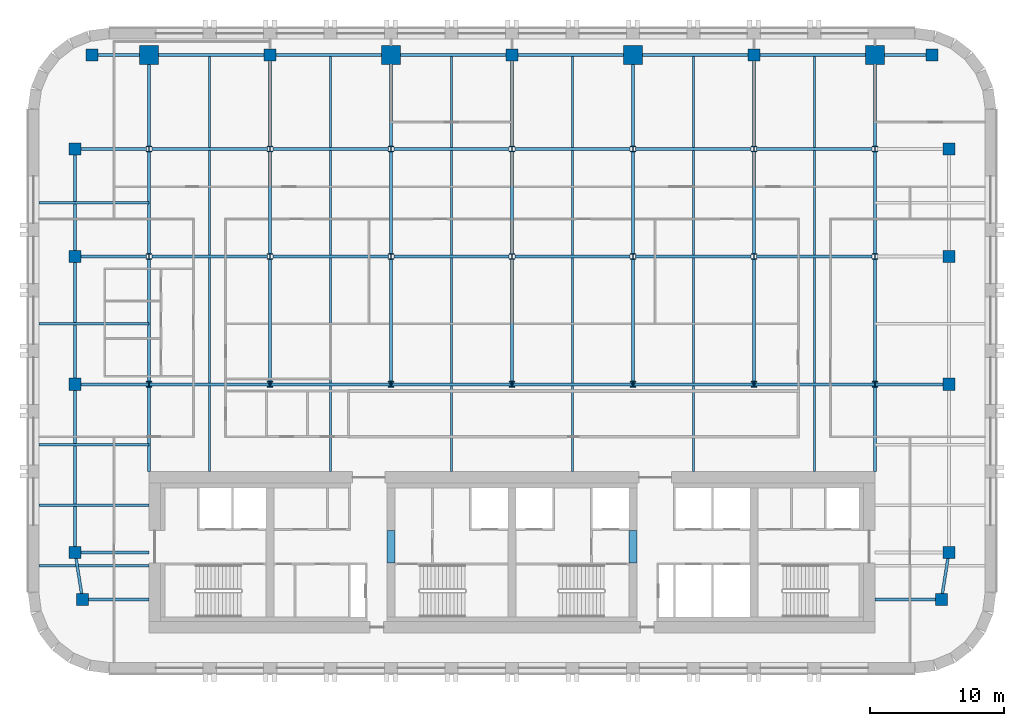
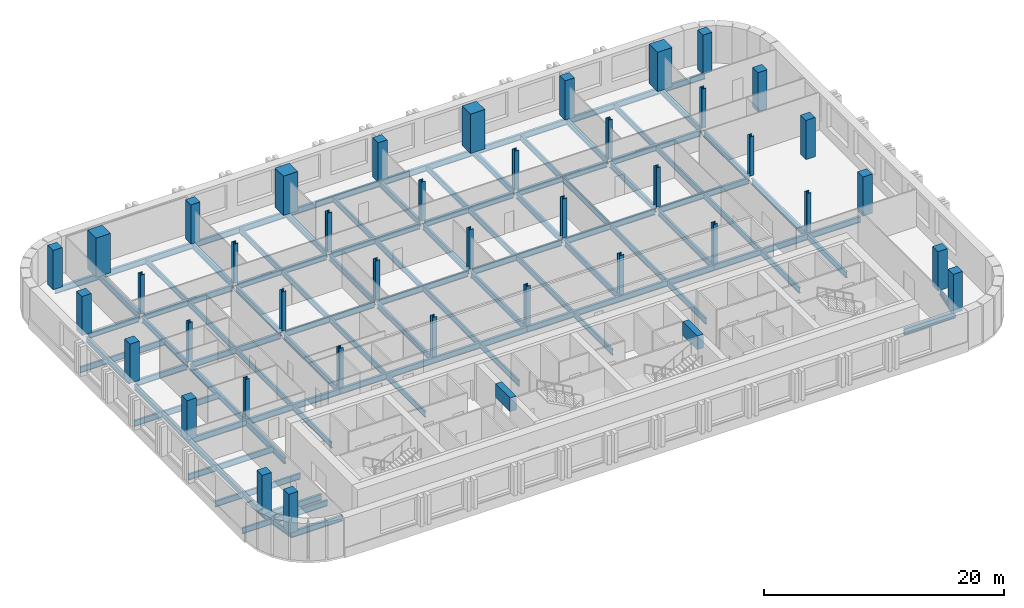
# One storey, part 1 of 9: 64 beams, 40 columns.
"""IFC4 building model written with IfcOpenShell, lengths in metres."""

from ifc_helpers import new_model, si_unit, direction, frame, origin, origin_2d, place, context, subcontext, project, spatial, rectangle, i_section, extrude, material, material_profile, profile_set, type_object, element, save


model = new_model("IFC4")

# Units and contexts
model_context = context("Model", 3, precision=1e-05, world=origin(), true_north=direction((0.0, 1.0)))
body_context = subcontext(model_context, "Body", "Model", "MODEL_VIEW")
ifc_project = project(units=[si_unit("LENGTHUNIT", "METRE"), si_unit("AREAUNIT", "SQUARE_METRE"), si_unit("VOLUMEUNIT", "CUBIC_METRE"), si_unit("PLANEANGLEUNIT", "RADIAN"), si_unit("MASSUNIT", "GRAM", prefix="KILO")], contexts=[model_context])

# Site, building, storey
site_placement = place(None, origin())
site = spatial("IfcSite", under=ifc_project, at=site_placement, CompositionType="ELEMENT")
building_placement = place(site_placement, origin())
building = spatial("IfcBuilding", under=site, at=building_placement, Name="Zellij Exchange Tower", CompositionType="ELEMENT")
storey_placement = place(building_placement, frame((0.0, 0.0, 184.5)))
storey = spatial("IfcBuildingStorey", under=building, at=storey_placement, Name="L42", CompositionType="ELEMENT", Elevation=184.5)

# Columns
ifc_material_1 = material(Name="Concrete C60/75", Category="concrete")
ifc_material_profile_1 = material_profile(ifc_material_1, rectangle(XDim=0.89990234375, YDim=0.89990234375, at=origin_2d()), Name="STR-COLUMN RC900x900 C60/75")
ifc_profile_set_1 = profile_set([ifc_material_profile_1], Name="Concrete C60/75")
column_type_1 = type_object("IfcColumnType", Name="STR-COLUMN RC900x900 C60/75", PredefinedType="COLUMN", material=ifc_profile_set_1)
for number, where, z_axis, x_axis, name in (
    (1, (-31.949951171875, -11.5, 0.0), (0.0, 0.0, 1.0), (1.0, 0.0, 0.0), "C16"),
    (2, (31.949951171875, -11.5, 0.0), (0.0, 0.0, 1.0), (1.0, 0.0, 0.0), "C16"),
    (3, (-32.5, -8.0, 0.0), (0.0, 0.0, 1.0), (1.0, 0.0, 0.0), "C16"),
    (4, (32.5, -8.0, 0.0), (0.0, 0.0, 1.0), (1.0, 0.0, 0.0), "C16"),
    (5, (-32.5, 4.5, 0.0), (0.0, 0.0, 1.0), (1.0, 0.0, 0.0), "C16"),
    (6, (32.5, 4.5, 0.0), (0.0, 0.0, 1.0), (1.0, 0.0, 0.0), "C16"),
    (7, (-32.5, 14.0, 0.0), (0.0, 0.0, 1.0), (1.0, 0.0, 0.0), "C16"),
    (8, (32.5, 14.0, 0.0), (0.0, 0.0, 1.0), (1.0, 0.0, 0.0), "C16"),
    (9, (-32.5, 22.0, 0.0), (0.0, 0.0, 1.0), (1.0, 0.0, 0.0), "C16"),
    (10, (32.5, 22.0, 0.0), (0.0, 0.0, 1.0), (1.0, 0.0, 0.0), "C16"),
    (11, (-31.25, 29.0, 0.0), (0.0, 0.0, 1.0), (1.0, 0.0, 0.0), "C16"),
    (12, (-18.0, 29.0, 0.0), (0.0, 0.0, 1.0), (1.0, 0.0, 0.0), "C16"),
    (13, (0.0, 29.0, 0.0), (0.0, 0.0, 1.0), (1.0, 0.0, 0.0), "C16"),
    (14, (18.0, 29.0, 0.0), (0.0, 0.0, 1.0), (1.0, 0.0, 0.0), "C16"),
    (15, (31.25, 29.0, 0.0), (0.0, 0.0, 1.0), (1.0, 0.0, 0.0), "C16"),
):
    element("IfcColumn", number, at=place(storey_placement, frame(where, z_axis=z_axis, x_axis=x_axis)), inside=storey, type_object=column_type_1, Name=name, PredefinedType="COLUMN", context=body_context, shape_type="SweptSolid", body=[
        extrude(rectangle(XDim=0.89990234375, YDim=0.89990234375, at=origin_2d()), origin(), (0.0, 0.0, 1.0), 4.0),
    ])
ifc_material_2 = material(Name="Structural steel ASTM A913 Gr 65", Category="steel")
ifc_material_profile_2 = material_profile(ifc_material_2, i_section(OverallWidth=0.408935546875, OverallDepth=0.424072265625, WebThickness=0.03271484375, FlangeThickness=0.052490234375, at=origin_2d()), Name="W14x283")
ifc_profile_set_2 = profile_set([ifc_material_profile_2], Name="Structural steel ASTM A913 Gr 65")
column_type_2 = type_object("IfcColumnType", Name="STR-COLUMN W14x283", PredefinedType="COLUMN", material=ifc_profile_set_2)
for number, where, z_axis, x_axis, name in (
    (16, (-27.0, 4.5, 0.0), (0.0, 0.0, 1.0), (1.0, 0.0, 0.0), "C3"),
    (17, (-18.0, 4.5, 0.0), (0.0, 0.0, 1.0), (1.0, 0.0, 0.0), "C3"),
    (18, (-9.0, 4.5, 0.0), (0.0, 0.0, 1.0), (1.0, 0.0, 0.0), "C3"),
    (19, (0.0, 4.5, 0.0), (0.0, 0.0, 1.0), (1.0, 0.0, 0.0), "C3"),
    (20, (9.0, 4.5, 0.0), (0.0, 0.0, 1.0), (1.0, 0.0, 0.0), "C3"),
    (21, (18.0, 4.5, 0.0), (0.0, 0.0, 1.0), (1.0, 0.0, 0.0), "C3"),
    (22, (27.0, 4.5, 0.0), (0.0, 0.0, 1.0), (1.0, 0.0, 0.0), "C3"),
    (23, (-27.0, 14.0, 0.0), (0.0, 0.0, 1.0), (1.0, 0.0, 0.0), "C3"),
    (24, (-18.0, 14.0, 0.0), (0.0, 0.0, 1.0), (1.0, 0.0, 0.0), "C3"),
    (25, (-9.0, 14.0, 0.0), (0.0, 0.0, 1.0), (1.0, 0.0, 0.0), "C3"),
    (26, (0.0, 14.0, 0.0), (0.0, 0.0, 1.0), (1.0, 0.0, 0.0), "C3"),
    (27, (9.0, 14.0, 0.0), (0.0, 0.0, 1.0), (1.0, 0.0, 0.0), "C3"),
    (28, (18.0, 14.0, 0.0), (0.0, 0.0, 1.0), (1.0, 0.0, 0.0), "C3"),
    (29, (27.0, 14.0, 0.0), (0.0, 0.0, 1.0), (1.0, 0.0, 0.0), "C3"),
    (30, (-27.0, 22.0, 0.0), (0.0, 0.0, 1.0), (1.0, 0.0, 0.0), "C3"),
    (31, (-18.0, 22.0, 0.0), (0.0, 0.0, 1.0), (1.0, 0.0, 0.0), "C3"),
    (32, (-9.0, 22.0, 0.0), (0.0, 0.0, 1.0), (1.0, 0.0, 0.0), "C3"),
    (33, (0.0, 22.0, 0.0), (0.0, 0.0, 1.0), (1.0, 0.0, 0.0), "C3"),
    (34, (9.0, 22.0, 0.0), (0.0, 0.0, 1.0), (1.0, 0.0, 0.0), "C3"),
    (35, (18.0, 22.0, 0.0), (0.0, 0.0, 1.0), (1.0, 0.0, 0.0), "C3"),
    (36, (27.0, 22.0, 0.0), (0.0, 0.0, 1.0), (1.0, 0.0, 0.0), "C3"),
):
    element("IfcColumn", number, at=place(storey_placement, frame(where, z_axis=z_axis, x_axis=x_axis)), inside=storey, type_object=column_type_2, Name=name, PredefinedType="COLUMN", context=body_context, shape_type="SweptSolid", body=[
        extrude(i_section(OverallWidth=0.408935546875, OverallDepth=0.424072265625, WebThickness=0.03271484375, FlangeThickness=0.052490234375, at=origin_2d()), origin(), (0.0, 0.0, 1.0), 4.0),
    ])
ifc_material_profile_3 = material_profile(ifc_material_1, rectangle(XDim=1.39990234375, YDim=1.39990234375, at=origin_2d()), Name="STR-MEGA COLUMN RC1400x1400 C60/75")
ifc_profile_set_3 = profile_set([ifc_material_profile_3], Name="Concrete C60/75")
column_type_3 = type_object("IfcColumnType", Name="STR-MEGA COLUMN RC1400x1400 C60/75", PredefinedType="COLUMN", material=ifc_profile_set_3)
for number, where, z_axis, x_axis, name in (
    (37, (-27.0, 29.0, 0.0), (0.0, 0.0, 1.0), (1.0, 0.0, 0.0), "MC3"),
    (38, (-9.0, 29.0, 0.0), (0.0, 0.0, 1.0), (1.0, 0.0, 0.0), "MC3"),
    (39, (9.0, 29.0, 0.0), (0.0, 0.0, 1.0), (1.0, 0.0, 0.0), "MC3"),
    (40, (27.0, 29.0, 0.0), (0.0, 0.0, 1.0), (1.0, 0.0, 0.0), "MC3"),
):
    element("IfcColumn", number, at=place(storey_placement, frame(where, z_axis=z_axis, x_axis=x_axis)), inside=storey, type_object=column_type_3, Name=name, PredefinedType="COLUMN", context=body_context, shape_type="SweptSolid", body=[
        extrude(rectangle(XDim=1.39990234375, YDim=1.39990234375, at=origin_2d()), origin(), (0.0, 0.0, 1.0), 4.0),
    ])

# Beams
ifc_material_profile_4 = material_profile(ifc_material_1, rectangle(XDim=0.60009765625, YDim=1.39990234375, at=origin_2d()), Name="CORE-CB 600x1400 C60/75")
ifc_profile_set_4 = profile_set([ifc_material_profile_4], Name="Concrete C60/75")
beam_type_1 = type_object("IfcBeamType", Name="CORE-CB 600x1400 C60/75", PredefinedType="BEAM", material=ifc_profile_set_4)
for number, where, z_axis, x_axis, name in (
    (41, (-9.0, -8.800048828125, 3.10009765625), (0.0, 1.0, 0.0), (-1.0, 0.0, 0.0), "Core coupling beam x -9 L42"),
    (42, (9.0, -8.800048828125, 3.10009765625), (0.0, 1.0, 0.0), (-1.0, 0.0, 0.0), "Core coupling beam x 9 L42"),
):
    element("IfcBeam", number, at=place(storey_placement, frame(where, z_axis=z_axis, x_axis=x_axis)), inside=storey, type_object=beam_type_1, Name=name, PredefinedType="BEAM", context=body_context, shape_type="SweptSolid", body=[
        extrude(rectangle(XDim=0.60009765625, YDim=1.39990234375, at=origin_2d()), origin(), (0.0, 0.0, 1.0), 2.425048828125),
    ])
ifc_material_3 = material(Name="Structural steel ASTM A992 Gr 50", Category="steel")
ifc_material_profile_5 = material_profile(ifc_material_3, i_section(OverallWidth=0.177978515625, OverallDepth=0.599365234375, WebThickness=0.010009765625, FlangeThickness=0.012939453125, at=origin_2d()), Name="W24x55")
ifc_profile_set_5 = profile_set([ifc_material_profile_5], Name="Structural steel ASTM A992 Gr 50")
beam_type_2 = type_object("IfcBeamType", Name="STR-BEAM W24x55", PredefinedType="BEAM", material=ifc_profile_set_5)
for number, where, z_axis, x_axis, name in (
    (43, (-22.5, -2.0, -0.499755859375), (0.0, 1.0, 0.0), (-1.0, 0.0, 0.0), "B4"),
    (44, (-13.5, -2.0, -0.499755859375), (0.0, 1.0, 0.0), (-1.0, 0.0, 0.0), "B4"),
    (45, (-4.5, -2.0, -0.499755859375), (0.0, 1.0, 0.0), (-1.0, 0.0, 0.0), "B4"),
    (46, (4.5, -2.0, -0.499755859375), (0.0, 1.0, 0.0), (-1.0, 0.0, 0.0), "B4"),
    (47, (13.5, -2.0, -0.499755859375), (0.0, 1.0, 0.0), (-1.0, 0.0, 0.0), "B4"),
    (48, (22.5, -2.0, -0.499755859375), (0.0, 1.0, 0.0), (-1.0, 0.0, 0.0), "B4"),
):
    element("IfcBeam", number, at=place(storey_placement, frame(where, z_axis=z_axis, x_axis=x_axis)), inside=storey, type_object=beam_type_2, Name=name, PredefinedType="BEAM", context=body_context, shape_type="SweptSolid", body=[
        extrude(i_section(OverallWidth=0.177978515625, OverallDepth=0.599365234375, WebThickness=0.010009765625, FlangeThickness=0.012939453125, at=origin_2d()), origin(), (0.0, 0.0, 1.0), 31.1142578125),
    ])
for number, where, z_axis, x_axis, name in (
    (49, (-35.199951171875, -9.0, -0.499755859375), (1.0, 0.0, 0.0), (0.0, 1.0, 0.0), "B4"),
    (50, (-35.199951171875, -4.5, -0.499755859375), (1.0, 0.0, 0.0), (0.0, 1.0, 0.0), "B4"),
    (51, (-35.199951171875, 0.0, -0.499755859375), (1.0, 0.0, 0.0), (0.0, 1.0, 0.0), "B4"),
    (52, (-35.199951171875, 9.0, -0.499755859375), (1.0, 0.0, 0.0), (0.0, 1.0, 0.0), "B4"),
    (53, (-35.199951171875, 18.0, -0.499755859375), (1.0, 0.0, 0.0), (0.0, 1.0, 0.0), "B4"),
):
    element("IfcBeam", number, at=place(storey_placement, frame(where, z_axis=z_axis, x_axis=x_axis)), inside=storey, type_object=beam_type_2, Name=name, PredefinedType="BEAM", context=body_context, shape_type="SweptSolid", body=[
        extrude(i_section(OverallWidth=0.177978515625, OverallDepth=0.599365234375, WebThickness=0.010009765625, FlangeThickness=0.012939453125, at=origin_2d()), origin(), (0.0, 0.0, 1.0), 8.199951171875),
    ])
ifc_material_profile_6 = material_profile(ifc_material_3, i_section(OverallWidth=0.209228515625, OverallDepth=0.533447265625, WebThickness=0.01025390625, FlangeThickness=0.015625, at=origin_2d()), Name="W21x62")
ifc_profile_set_6 = profile_set([ifc_material_profile_6], Name="Structural steel ASTM A992 Gr 50")
beam_type_3 = type_object("IfcBeamType", Name="STR-EDGE GIRDER W21x62", PredefinedType="BEAM", material=ifc_profile_set_6)
beam_1_placement = place(storey_placement, frame((-31.949951171875, -11.5, -0.466796875), z_axis=(-0.155251283593, 0.987875011802, 0.0), x_axis=(-0.987875011802, -0.155251283593, 0.0)))
element("IfcBeam", 54, at=beam_1_placement, inside=storey, type_object=beam_type_3, Name="EB3", PredefinedType="BEAM", context=body_context, shape_type="SweptSolid", body=[
    extrude(i_section(OverallWidth=0.209228515625, OverallDepth=0.533447265625, WebThickness=0.01025390625, FlangeThickness=0.015625, at=origin_2d()), origin(), (0.0, 0.0, 1.0), 3.54296875),
])
beam_2_placement = place(storey_placement, frame((-32.5, -8.0, -0.466796875), z_axis=(0.0, 1.0, 0.0), x_axis=(-1.0, 0.0, 0.0)))
element("IfcBeam", 55, at=beam_2_placement, inside=storey, type_object=beam_type_3, Name="EB3", PredefinedType="BEAM", context=body_context, shape_type="SweptSolid", body=[
    extrude(i_section(OverallWidth=0.209228515625, OverallDepth=0.533447265625, WebThickness=0.01025390625, FlangeThickness=0.015625, at=origin_2d()), origin(), (0.0, 0.0, 1.0), 12.5),
])
beam_3_placement = place(storey_placement, frame((-32.5, 4.5, -0.466796875), z_axis=(0.0, 1.0, 0.0), x_axis=(-1.0, 0.0, 0.0)))
element("IfcBeam", 56, at=beam_3_placement, inside=storey, type_object=beam_type_3, Name="EB3", PredefinedType="BEAM", context=body_context, shape_type="SweptSolid", body=[
    extrude(i_section(OverallWidth=0.209228515625, OverallDepth=0.533447265625, WebThickness=0.01025390625, FlangeThickness=0.015625, at=origin_2d()), origin(), (0.0, 0.0, 1.0), 9.050048828125),
])
beam_4_placement = place(storey_placement, frame((-32.5, 14.449951171875, -0.466796875), z_axis=(0.0, 1.0, 0.0), x_axis=(-1.0, 0.0, 0.0)))
element("IfcBeam", 57, at=beam_4_placement, inside=storey, type_object=beam_type_3, Name="EB3", PredefinedType="BEAM", context=body_context, shape_type="SweptSolid", body=[
    extrude(i_section(OverallWidth=0.209228515625, OverallDepth=0.533447265625, WebThickness=0.01025390625, FlangeThickness=0.015625, at=origin_2d()), origin(), (0.0, 0.0, 1.0), 7.10009765625),
])
beam_5_placement = place(storey_placement, frame((31.949951171875, -11.5, -0.466796875), z_axis=(0.155251283593, 0.987875011802, 0.0), x_axis=(-0.987875011802, 0.155251283593, 0.0)))
element("IfcBeam", 58, at=beam_5_placement, inside=storey, type_object=beam_type_3, Name="EB3", PredefinedType="BEAM", context=body_context, shape_type="SweptSolid", body=[
    extrude(i_section(OverallWidth=0.209228515625, OverallDepth=0.533447265625, WebThickness=0.01025390625, FlangeThickness=0.015625, at=origin_2d()), origin(), (0.0, 0.0, 1.0), 3.54296875),
])
ifc_material_profile_7 = material_profile(ifc_material_3, i_section(OverallWidth=0.228271484375, OverallDepth=0.607177734375, WebThickness=0.01123046875, FlangeThickness=0.017333984375, at=origin_2d()), Name="W24x76")
ifc_profile_set_7 = profile_set([ifc_material_profile_7], Name="Structural steel ASTM A992 Gr 50")
beam_type_4 = type_object("IfcBeamType", Name="STR-GIRDER W24x76", PredefinedType="BEAM", material=ifc_profile_set_7)
for number, where, z_axis, x_axis, name in (
    (59, (-31.949951171875, -11.5, -0.50341796875), (1.0, 0.0, 0.0), (0.0, 1.0, 0.0), "G2"),
    (60, (27.0, -11.5, -0.50341796875), (1.0, 0.0, 0.0), (0.0, 1.0, 0.0), "G2"),
):
    element("IfcBeam", number, at=place(storey_placement, frame(where, z_axis=z_axis, x_axis=x_axis)), inside=storey, type_object=beam_type_4, Name=name, PredefinedType="BEAM", context=body_context, shape_type="SweptSolid", body=[
        extrude(i_section(OverallWidth=0.228271484375, OverallDepth=0.607177734375, WebThickness=0.01123046875, FlangeThickness=0.017333984375, at=origin_2d()), origin(), (0.0, 0.0, 1.0), 4.949951171875),
    ])
beam_6_placement = place(storey_placement, frame((-32.5, -8.0, -0.50341796875), z_axis=(1.0, 0.0, 0.0), x_axis=(0.0, 1.0, 0.0)))
element("IfcBeam", 61, at=beam_6_placement, inside=storey, type_object=beam_type_4, Name="G2", PredefinedType="BEAM", context=body_context, shape_type="SweptSolid", body=[
    extrude(i_section(OverallWidth=0.228271484375, OverallDepth=0.607177734375, WebThickness=0.01123046875, FlangeThickness=0.017333984375, at=origin_2d()), origin(), (0.0, 0.0, 1.0), 5.5),
])
beam_7_placement = place(storey_placement, frame((-32.5, 4.5, -0.50341796875), z_axis=(1.0, 0.0, 0.0), x_axis=(0.0, 1.0, 0.0)))
element("IfcBeam", 62, at=beam_7_placement, inside=storey, type_object=beam_type_4, Name="G2", PredefinedType="BEAM", context=body_context, shape_type="SweptSolid", body=[
    extrude(i_section(OverallWidth=0.228271484375, OverallDepth=0.607177734375, WebThickness=0.01123046875, FlangeThickness=0.017333984375, at=origin_2d()), origin(), (0.0, 0.0, 1.0), 14.5),
])
for number, where, z_axis, x_axis, name in (
    (63, (-18.0, 4.5, -0.50341796875), (1.0, 0.0, 0.0), (0.0, 1.0, 0.0), "G2"),
    (64, (0.0, 4.5, -0.50341796875), (1.0, 0.0, 0.0), (0.0, 1.0, 0.0), "G2"),
):
    element("IfcBeam", number, at=place(storey_placement, frame(where, z_axis=z_axis, x_axis=x_axis)), inside=storey, type_object=beam_type_4, Name=name, PredefinedType="BEAM", context=body_context, shape_type="SweptSolid", body=[
        extrude(i_section(OverallWidth=0.228271484375, OverallDepth=0.607177734375, WebThickness=0.01123046875, FlangeThickness=0.017333984375, at=origin_2d()), origin(), (0.0, 0.0, 1.0), 18.0),
    ])
beam_8_placement = place(storey_placement, frame((18.0, 4.5, -0.50341796875), z_axis=(1.0, 0.0, 0.0), x_axis=(0.0, 1.0, 0.0)))
element("IfcBeam", 65, at=beam_8_placement, inside=storey, type_object=beam_type_4, Name="G2", PredefinedType="BEAM", context=body_context, shape_type="SweptSolid", body=[
    extrude(i_section(OverallWidth=0.228271484375, OverallDepth=0.607177734375, WebThickness=0.01123046875, FlangeThickness=0.017333984375, at=origin_2d()), origin(), (0.0, 0.0, 1.0), 14.050048828125),
])
beam_9_placement = place(storey_placement, frame((-32.050048828125, 14.0, -0.50341796875), z_axis=(1.0, 0.0, 0.0), x_axis=(0.0, 1.0, 0.0)))
element("IfcBeam", 66, at=beam_9_placement, inside=storey, type_object=beam_type_4, Name="G2", PredefinedType="BEAM", context=body_context, shape_type="SweptSolid", body=[
    extrude(i_section(OverallWidth=0.228271484375, OverallDepth=0.607177734375, WebThickness=0.01123046875, FlangeThickness=0.017333984375, at=origin_2d()), origin(), (0.0, 0.0, 1.0), 4.845458984375),
])
for number, where, z_axis, x_axis, name in (
    (67, (-26.79541015625, 14.0, -0.50341796875), (1.0, 0.0, 0.0), (0.0, 1.0, 0.0), "G2"),
    (68, (-17.79541015625, 14.0, -0.50341796875), (1.0, 0.0, 0.0), (0.0, 1.0, 0.0), "G2"),
    (69, (-8.79541015625, 14.0, -0.50341796875), (1.0, 0.0, 0.0), (0.0, 1.0, 0.0), "G2"),
    (70, (0.20458984375, 14.0, -0.50341796875), (1.0, 0.0, 0.0), (0.0, 1.0, 0.0), "G2"),
    (71, (9.20458984375, 14.0, -0.50341796875), (1.0, 0.0, 0.0), (0.0, 1.0, 0.0), "G2"),
    (72, (18.20458984375, 14.0, -0.50341796875), (1.0, 0.0, 0.0), (0.0, 1.0, 0.0), "G2"),
):
    element("IfcBeam", number, at=place(storey_placement, frame(where, z_axis=z_axis, x_axis=x_axis)), inside=storey, type_object=beam_type_4, Name=name, PredefinedType="BEAM", context=body_context, shape_type="SweptSolid", body=[
        extrude(i_section(OverallWidth=0.228271484375, OverallDepth=0.607177734375, WebThickness=0.01123046875, FlangeThickness=0.017333984375, at=origin_2d()), origin(), (0.0, 0.0, 1.0), 8.5908203125),
    ])
beam_10_placement = place(storey_placement, frame((-32.050048828125, 22.0, -0.50341796875), z_axis=(1.0, 0.0, 0.0), x_axis=(0.0, 1.0, 0.0)))
element("IfcBeam", 73, at=beam_10_placement, inside=storey, type_object=beam_type_4, Name="G2", PredefinedType="BEAM", context=body_context, shape_type="SweptSolid", body=[
    extrude(i_section(OverallWidth=0.228271484375, OverallDepth=0.607177734375, WebThickness=0.01123046875, FlangeThickness=0.017333984375, at=origin_2d()), origin(), (0.0, 0.0, 1.0), 4.845458984375),
])
for number, where, z_axis, x_axis, name in (
    (74, (-26.79541015625, 22.0, -0.50341796875), (1.0, 0.0, 0.0), (0.0, 1.0, 0.0), "G2"),
    (75, (-17.79541015625, 22.0, -0.50341796875), (1.0, 0.0, 0.0), (0.0, 1.0, 0.0), "G2"),
    (76, (-8.79541015625, 22.0, -0.50341796875), (1.0, 0.0, 0.0), (0.0, 1.0, 0.0), "G2"),
    (77, (0.20458984375, 22.0, -0.50341796875), (1.0, 0.0, 0.0), (0.0, 1.0, 0.0), "G2"),
    (78, (9.20458984375, 22.0, -0.50341796875), (1.0, 0.0, 0.0), (0.0, 1.0, 0.0), "G2"),
    (79, (18.20458984375, 22.0, -0.50341796875), (1.0, 0.0, 0.0), (0.0, 1.0, 0.0), "G2"),
):
    element("IfcBeam", number, at=place(storey_placement, frame(where, z_axis=z_axis, x_axis=x_axis)), inside=storey, type_object=beam_type_4, Name=name, PredefinedType="BEAM", context=body_context, shape_type="SweptSolid", body=[
        extrude(i_section(OverallWidth=0.228271484375, OverallDepth=0.607177734375, WebThickness=0.01123046875, FlangeThickness=0.017333984375, at=origin_2d()), origin(), (0.0, 0.0, 1.0), 8.5908203125),
    ])
beam_11_placement = place(storey_placement, frame((-31.25, 29.0, -0.50341796875), z_axis=(1.0, 0.0, 0.0), x_axis=(0.0, 1.0, 0.0)))
element("IfcBeam", 80, at=beam_11_placement, inside=storey, type_object=beam_type_4, Name="G2", PredefinedType="BEAM", context=body_context, shape_type="SweptSolid", body=[
    extrude(i_section(OverallWidth=0.228271484375, OverallDepth=0.607177734375, WebThickness=0.01123046875, FlangeThickness=0.017333984375, at=origin_2d()), origin(), (0.0, 0.0, 1.0), 13.25),
])
for number, where, z_axis, x_axis, name in (
    (81, (-18.0, 29.0, -0.50341796875), (1.0, 0.0, 0.0), (0.0, 1.0, 0.0), "G2"),
    (82, (0.0, 29.0, -0.50341796875), (1.0, 0.0, 0.0), (0.0, 1.0, 0.0), "G2"),
):
    element("IfcBeam", number, at=place(storey_placement, frame(where, z_axis=z_axis, x_axis=x_axis)), inside=storey, type_object=beam_type_4, Name=name, PredefinedType="BEAM", context=body_context, shape_type="SweptSolid", body=[
        extrude(i_section(OverallWidth=0.228271484375, OverallDepth=0.607177734375, WebThickness=0.01123046875, FlangeThickness=0.017333984375, at=origin_2d()), origin(), (0.0, 0.0, 1.0), 18.0),
    ])
beam_12_placement = place(storey_placement, frame((18.0, 29.0, -0.50341796875), z_axis=(1.0, 0.0, 0.0), x_axis=(0.0, 1.0, 0.0)))
element("IfcBeam", 83, at=beam_12_placement, inside=storey, type_object=beam_type_4, Name="G2", PredefinedType="BEAM", context=body_context, shape_type="SweptSolid", body=[
    extrude(i_section(OverallWidth=0.228271484375, OverallDepth=0.607177734375, WebThickness=0.01123046875, FlangeThickness=0.017333984375, at=origin_2d()), origin(), (0.0, 0.0, 1.0), 13.25),
])
beam_13_placement = place(storey_placement, frame((-27.0, -2.0, -0.50341796875), z_axis=(0.0, 1.0, 0.0), x_axis=(-1.0, 0.0, 0.0)))
element("IfcBeam", 84, at=beam_13_placement, inside=storey, type_object=beam_type_4, Name="G2", PredefinedType="BEAM", context=body_context, shape_type="SweptSolid", body=[
    extrude(i_section(OverallWidth=0.228271484375, OverallDepth=0.607177734375, WebThickness=0.01123046875, FlangeThickness=0.017333984375, at=origin_2d()), origin(), (0.0, 0.0, 1.0), 15.787841796875),
])
beam_14_placement = place(storey_placement, frame((-27.0, 14.212158203125, -0.50341796875), z_axis=(0.0, 1.0, 0.0), x_axis=(-1.0, 0.0, 0.0)))
element("IfcBeam", 85, at=beam_14_placement, inside=storey, type_object=beam_type_4, Name="G2", PredefinedType="BEAM", context=body_context, shape_type="SweptSolid", body=[
    extrude(i_section(OverallWidth=0.228271484375, OverallDepth=0.607177734375, WebThickness=0.01123046875, FlangeThickness=0.017333984375, at=origin_2d()), origin(), (0.0, 0.0, 1.0), 7.57568359375),
])
beam_15_placement = place(storey_placement, frame((-27.0, 22.212158203125, -0.50341796875), z_axis=(0.0, 1.0, 0.0), x_axis=(-1.0, 0.0, 0.0)))
element("IfcBeam", 86, at=beam_15_placement, inside=storey, type_object=beam_type_4, Name="G2", PredefinedType="BEAM", context=body_context, shape_type="SweptSolid", body=[
    extrude(i_section(OverallWidth=0.228271484375, OverallDepth=0.607177734375, WebThickness=0.01123046875, FlangeThickness=0.017333984375, at=origin_2d()), origin(), (0.0, 0.0, 1.0), 6.787841796875),
])
beam_16_placement = place(storey_placement, frame((-18.0, 4.5, -0.50341796875), z_axis=(0.0, 1.0, 0.0), x_axis=(-1.0, 0.0, 0.0)))
element("IfcBeam", 87, at=beam_16_placement, inside=storey, type_object=beam_type_4, Name="G2", PredefinedType="BEAM", context=body_context, shape_type="SweptSolid", body=[
    extrude(i_section(OverallWidth=0.228271484375, OverallDepth=0.607177734375, WebThickness=0.01123046875, FlangeThickness=0.017333984375, at=origin_2d()), origin(), (0.0, 0.0, 1.0), 9.287841796875),
])
beam_17_placement = place(storey_placement, frame((-18.0, 14.212158203125, -0.50341796875), z_axis=(0.0, 1.0, 0.0), x_axis=(-1.0, 0.0, 0.0)))
element("IfcBeam", 88, at=beam_17_placement, inside=storey, type_object=beam_type_4, Name="G2", PredefinedType="BEAM", context=body_context, shape_type="SweptSolid", body=[
    extrude(i_section(OverallWidth=0.228271484375, OverallDepth=0.607177734375, WebThickness=0.01123046875, FlangeThickness=0.017333984375, at=origin_2d()), origin(), (0.0, 0.0, 1.0), 7.57568359375),
])
beam_18_placement = place(storey_placement, frame((-18.0, 22.212158203125, -0.50341796875), z_axis=(0.0, 1.0, 0.0), x_axis=(-1.0, 0.0, 0.0)))
element("IfcBeam", 89, at=beam_18_placement, inside=storey, type_object=beam_type_4, Name="G2", PredefinedType="BEAM", context=body_context, shape_type="SweptSolid", body=[
    extrude(i_section(OverallWidth=0.228271484375, OverallDepth=0.607177734375, WebThickness=0.01123046875, FlangeThickness=0.017333984375, at=origin_2d()), origin(), (0.0, 0.0, 1.0), 6.787841796875),
])
beam_19_placement = place(storey_placement, frame((-9.0, 4.5, -0.50341796875), z_axis=(0.0, 1.0, 0.0), x_axis=(-1.0, 0.0, 0.0)))
element("IfcBeam", 90, at=beam_19_placement, inside=storey, type_object=beam_type_4, Name="G2", PredefinedType="BEAM", context=body_context, shape_type="SweptSolid", body=[
    extrude(i_section(OverallWidth=0.228271484375, OverallDepth=0.607177734375, WebThickness=0.01123046875, FlangeThickness=0.017333984375, at=origin_2d()), origin(), (0.0, 0.0, 1.0), 9.287841796875),
])
beam_20_placement = place(storey_placement, frame((-9.0, 14.212158203125, -0.50341796875), z_axis=(0.0, 1.0, 0.0), x_axis=(-1.0, 0.0, 0.0)))
element("IfcBeam", 91, at=beam_20_placement, inside=storey, type_object=beam_type_4, Name="G2", PredefinedType="BEAM", context=body_context, shape_type="SweptSolid", body=[
    extrude(i_section(OverallWidth=0.228271484375, OverallDepth=0.607177734375, WebThickness=0.01123046875, FlangeThickness=0.017333984375, at=origin_2d()), origin(), (0.0, 0.0, 1.0), 7.57568359375),
])
beam_21_placement = place(storey_placement, frame((-9.0, 22.212158203125, -0.50341796875), z_axis=(0.0, 1.0, 0.0), x_axis=(-1.0, 0.0, 0.0)))
element("IfcBeam", 92, at=beam_21_placement, inside=storey, type_object=beam_type_4, Name="G2", PredefinedType="BEAM", context=body_context, shape_type="SweptSolid", body=[
    extrude(i_section(OverallWidth=0.228271484375, OverallDepth=0.607177734375, WebThickness=0.01123046875, FlangeThickness=0.017333984375, at=origin_2d()), origin(), (0.0, 0.0, 1.0), 6.787841796875),
])
beam_22_placement = place(storey_placement, frame((0.0, 4.5, -0.50341796875), z_axis=(0.0, 1.0, 0.0), x_axis=(-1.0, 0.0, 0.0)))
element("IfcBeam", 93, at=beam_22_placement, inside=storey, type_object=beam_type_4, Name="G2", PredefinedType="BEAM", context=body_context, shape_type="SweptSolid", body=[
    extrude(i_section(OverallWidth=0.228271484375, OverallDepth=0.607177734375, WebThickness=0.01123046875, FlangeThickness=0.017333984375, at=origin_2d()), origin(), (0.0, 0.0, 1.0), 9.287841796875),
])
beam_23_placement = place(storey_placement, frame((0.0, 14.212158203125, -0.50341796875), z_axis=(0.0, 1.0, 0.0), x_axis=(-1.0, 0.0, 0.0)))
element("IfcBeam", 94, at=beam_23_placement, inside=storey, type_object=beam_type_4, Name="G2", PredefinedType="BEAM", context=body_context, shape_type="SweptSolid", body=[
    extrude(i_section(OverallWidth=0.228271484375, OverallDepth=0.607177734375, WebThickness=0.01123046875, FlangeThickness=0.017333984375, at=origin_2d()), origin(), (0.0, 0.0, 1.0), 7.57568359375),
])
beam_24_placement = place(storey_placement, frame((0.0, 22.212158203125, -0.50341796875), z_axis=(0.0, 1.0, 0.0), x_axis=(-1.0, 0.0, 0.0)))
element("IfcBeam", 95, at=beam_24_placement, inside=storey, type_object=beam_type_4, Name="G2", PredefinedType="BEAM", context=body_context, shape_type="SweptSolid", body=[
    extrude(i_section(OverallWidth=0.228271484375, OverallDepth=0.607177734375, WebThickness=0.01123046875, FlangeThickness=0.017333984375, at=origin_2d()), origin(), (0.0, 0.0, 1.0), 6.787841796875),
])
beam_25_placement = place(storey_placement, frame((9.0, 4.5, -0.50341796875), z_axis=(0.0, 1.0, 0.0), x_axis=(-1.0, 0.0, 0.0)))
element("IfcBeam", 96, at=beam_25_placement, inside=storey, type_object=beam_type_4, Name="G2", PredefinedType="BEAM", context=body_context, shape_type="SweptSolid", body=[
    extrude(i_section(OverallWidth=0.228271484375, OverallDepth=0.607177734375, WebThickness=0.01123046875, FlangeThickness=0.017333984375, at=origin_2d()), origin(), (0.0, 0.0, 1.0), 9.287841796875),
])
beam_26_placement = place(storey_placement, frame((9.0, 14.212158203125, -0.50341796875), z_axis=(0.0, 1.0, 0.0), x_axis=(-1.0, 0.0, 0.0)))
element("IfcBeam", 97, at=beam_26_placement, inside=storey, type_object=beam_type_4, Name="G2", PredefinedType="BEAM", context=body_context, shape_type="SweptSolid", body=[
    extrude(i_section(OverallWidth=0.228271484375, OverallDepth=0.607177734375, WebThickness=0.01123046875, FlangeThickness=0.017333984375, at=origin_2d()), origin(), (0.0, 0.0, 1.0), 7.57568359375),
])
beam_27_placement = place(storey_placement, frame((9.0, 22.212158203125, -0.50341796875), z_axis=(0.0, 1.0, 0.0), x_axis=(-1.0, 0.0, 0.0)))
element("IfcBeam", 98, at=beam_27_placement, inside=storey, type_object=beam_type_4, Name="G2", PredefinedType="BEAM", context=body_context, shape_type="SweptSolid", body=[
    extrude(i_section(OverallWidth=0.228271484375, OverallDepth=0.607177734375, WebThickness=0.01123046875, FlangeThickness=0.017333984375, at=origin_2d()), origin(), (0.0, 0.0, 1.0), 6.787841796875),
])
beam_28_placement = place(storey_placement, frame((18.0, 4.5, -0.50341796875), z_axis=(0.0, 1.0, 0.0), x_axis=(-1.0, 0.0, 0.0)))
element("IfcBeam", 99, at=beam_28_placement, inside=storey, type_object=beam_type_4, Name="G2", PredefinedType="BEAM", context=body_context, shape_type="SweptSolid", body=[
    extrude(i_section(OverallWidth=0.228271484375, OverallDepth=0.607177734375, WebThickness=0.01123046875, FlangeThickness=0.017333984375, at=origin_2d()), origin(), (0.0, 0.0, 1.0), 9.287841796875),
])
beam_29_placement = place(storey_placement, frame((18.0, 14.212158203125, -0.50341796875), z_axis=(0.0, 1.0, 0.0), x_axis=(-1.0, 0.0, 0.0)))
element("IfcBeam", 100, at=beam_29_placement, inside=storey, type_object=beam_type_4, Name="G2", PredefinedType="BEAM", context=body_context, shape_type="SweptSolid", body=[
    extrude(i_section(OverallWidth=0.228271484375, OverallDepth=0.607177734375, WebThickness=0.01123046875, FlangeThickness=0.017333984375, at=origin_2d()), origin(), (0.0, 0.0, 1.0), 7.57568359375),
])
beam_30_placement = place(storey_placement, frame((18.0, 22.212158203125, -0.50341796875), z_axis=(0.0, 1.0, 0.0), x_axis=(-1.0, 0.0, 0.0)))
element("IfcBeam", 101, at=beam_30_placement, inside=storey, type_object=beam_type_4, Name="G2", PredefinedType="BEAM", context=body_context, shape_type="SweptSolid", body=[
    extrude(i_section(OverallWidth=0.228271484375, OverallDepth=0.607177734375, WebThickness=0.01123046875, FlangeThickness=0.017333984375, at=origin_2d()), origin(), (0.0, 0.0, 1.0), 6.787841796875),
])
beam_31_placement = place(storey_placement, frame((27.0, -2.0, -0.50341796875), z_axis=(0.0, 1.0, 0.0), x_axis=(-1.0, 0.0, 0.0)))
element("IfcBeam", 102, at=beam_31_placement, inside=storey, type_object=beam_type_4, Name="G2", PredefinedType="BEAM", context=body_context, shape_type="SweptSolid", body=[
    extrude(i_section(OverallWidth=0.228271484375, OverallDepth=0.607177734375, WebThickness=0.01123046875, FlangeThickness=0.017333984375, at=origin_2d()), origin(), (0.0, 0.0, 1.0), 15.787841796875),
])
beam_32_placement = place(storey_placement, frame((27.0, 14.212158203125, -0.50341796875), z_axis=(0.0, 1.0, 0.0), x_axis=(-1.0, 0.0, 0.0)))
element("IfcBeam", 103, at=beam_32_placement, inside=storey, type_object=beam_type_4, Name="G2", PredefinedType="BEAM", context=body_context, shape_type="SweptSolid", body=[
    extrude(i_section(OverallWidth=0.228271484375, OverallDepth=0.607177734375, WebThickness=0.01123046875, FlangeThickness=0.017333984375, at=origin_2d()), origin(), (0.0, 0.0, 1.0), 7.57568359375),
])
beam_33_placement = place(storey_placement, frame((27.0, 22.212158203125, -0.50341796875), z_axis=(0.0, 1.0, 0.0), x_axis=(-1.0, 0.0, 0.0)))
element("IfcBeam", 104, at=beam_33_placement, inside=storey, type_object=beam_type_4, Name="G2", PredefinedType="BEAM", context=body_context, shape_type="SweptSolid", body=[
    extrude(i_section(OverallWidth=0.228271484375, OverallDepth=0.607177734375, WebThickness=0.01123046875, FlangeThickness=0.017333984375, at=origin_2d()), origin(), (0.0, 0.0, 1.0), 6.787841796875),
])

save(model, "model.ifc")
